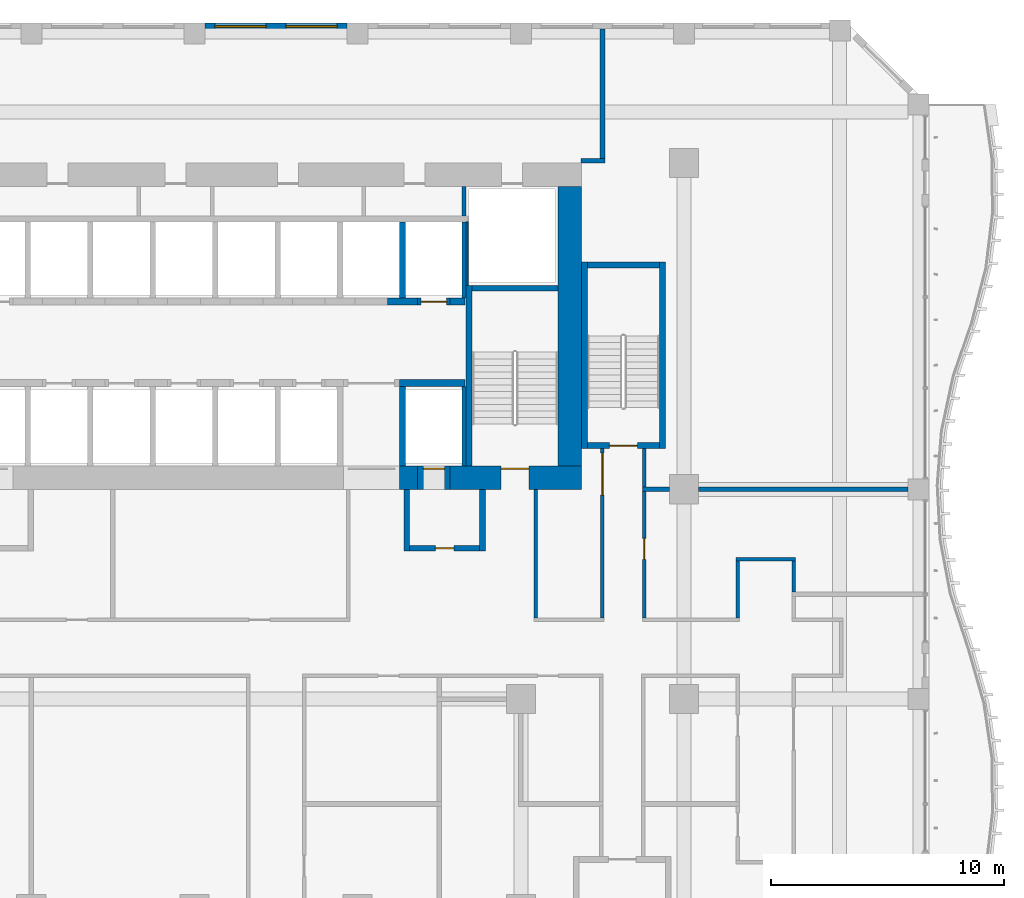
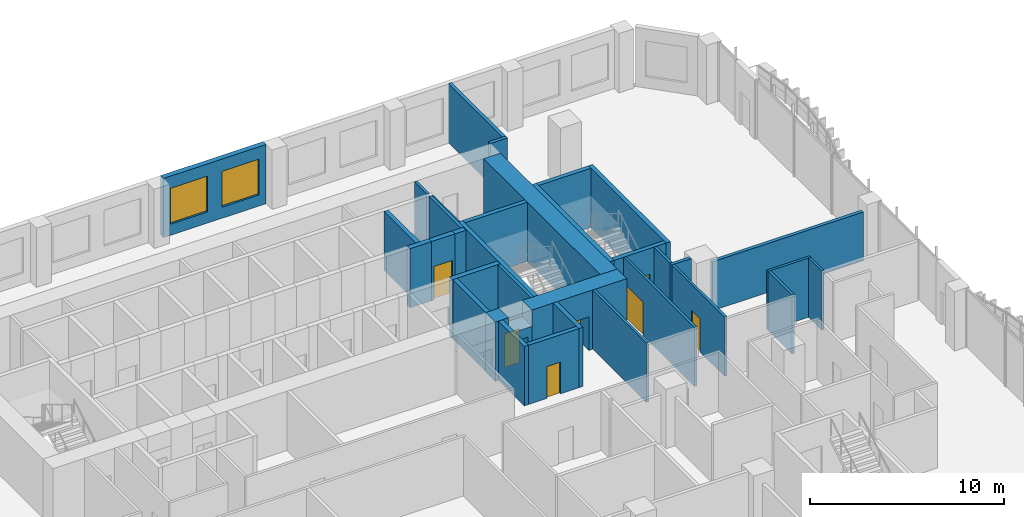
# One storey, part 17 of 28: 35 walls, 7 doors, 2 windows, 9 openings.
"""IFC4 building model written with IfcOpenShell, lengths in metres."""

from ifc_helpers import new_model, si_unit, direction, frame, frame_2d, origin, place, context, subcontext, project, spatial, rectangle, extrude, source, transform, mapped, material, layer, layer_set, type_object, element, fill, save


model = new_model("IFC4")

# Units and contexts
model_context = context("Model", 3, precision=1e-05, world=origin(), true_north=direction((0.0, 1.0)))
body_context = subcontext(model_context, "Body", "Model", "MODEL_VIEW")
ifc_project = project(units=[si_unit("LENGTHUNIT", "METRE"), si_unit("AREAUNIT", "SQUARE_METRE"), si_unit("VOLUMEUNIT", "CUBIC_METRE"), si_unit("PLANEANGLEUNIT", "RADIAN"), si_unit("MASSUNIT", "GRAM", prefix="KILO")], contexts=[model_context])

# Site, building, storey
site_placement = place(None, origin())
site = spatial("IfcSite", under=ifc_project, at=site_placement, CompositionType="ELEMENT")
building_placement = place(site_placement, origin())
building = spatial("IfcBuilding", under=site, at=building_placement, Name="Kilnfold Tower and Market Hall", CompositionType="ELEMENT")
storey_placement = place(building_placement, frame((0.0, 0.0, 87.199951171875)))
storey = spatial("IfcBuildingStorey", under=building, at=storey_placement, Name="L20", CompositionType="ELEMENT", Elevation=87.199951171875)

# Wall
ifc_material_1 = material(Name="Gypsum board on steel studs", Category="steel")
ifc_layer_1 = layer(ifc_material_1, 0.14990234375)
ifc_layer_set_1 = layer_set([ifc_layer_1], Name="Gypsum board on steel studs")
wall_type_1 = type_object("IfcWallType", Name="WALL CORRIDOR 150", PredefinedType="PARTITIONING", material=ifc_layer_set_1)
wall_1_placement = place(storey_placement, frame((16.14990234375, 2.47509765625, 0.0), z_axis=(0.0, 0.0, 1.0), x_axis=(0.0, 1.0, 0.0)))
element("IfcWall", 1, at=wall_1_placement, inside=storey, type_object=wall_type_1, Name="Partition LY14.28", PredefinedType="PARTITIONING", context=body_context, shape_type="SweptSolid", body=[
    extrude(rectangle(XDim=5.52490234375, YDim=0.14990234375, at=frame_2d((2.762451171875, 0.0))), origin(), (0.0, 0.0, 1.0), 3.719970703125),
])

# Wall, opening, door
wall_2_placement = place(storey_placement, frame((19.0, 9.75, 0.0), z_axis=(0.0, 0.0, 1.0), x_axis=(0.0, -1.0, 0.0)))
wall_2 = element("IfcWall", 2, at=wall_2_placement, inside=storey, type_object=wall_type_1, Name="Partition LY14.30", PredefinedType="PARTITIONING", context=body_context, shape_type="SweptSolid", body=[
    extrude(rectangle(XDim=7.27490234375, YDim=0.14990234375, at=frame_2d((3.637451171875, 0.0))), origin(), (0.0, 0.0, 1.0), 3.719970703125),
])
opening_1_placement = place(wall_2_placement, frame((0.199951171875, 0.0, 0.0)))
opening_1 = element("IfcOpeningElement", 3, at=opening_1_placement, cuts=wall_2, Name="Opening D5", PredefinedType="OPENING", context=body_context, shape_type="SweptSolid", body=[
    extrude(rectangle(XDim=1.800048828125, YDim=2.10009765625, at=frame_2d((0.89990234375, 1.050048828125))), frame((0.0, 0.0849609375, 0.0), z_axis=(0.0, -1.0, 0.0), x_axis=(1.0, 0.0, 0.0)), (0.0, 0.0, 1.0), 0.169921875),
])
ifc_material_2 = material(Name="Timber veneer door leaf in steel frame", Category="steel")
door_type_1 = type_object("IfcDoorType", Name="DOOR DOUBLE 1800 X2100", OperationType="NOTDEFINED", PredefinedType="DOOR", material=ifc_material_2)
door_1_placement = place(opening_1_placement, origin())
door_1 = element("IfcDoor", 4, at=door_1_placement, inside=storey, type_object=door_type_1, Name="Door D5", OperationType="DOUBLE_DOOR_SINGLE_SWING", OverallHeight=2.10009765625, OverallWidth=1.800048828125, PredefinedType="DOOR", context=body_context, shape_type="SweptSolid", body=[
    extrude(rectangle(XDim=1.800048828125, YDim=2.10009765625, at=frame_2d((0.89990234375, 1.050048828125))), frame((0.0, 0.02490234375, 0.0), z_axis=(0.0, -1.0, 0.0), x_axis=(1.0, 0.0, 0.0)), (0.0, 0.0, 1.0), 0.050048828125),
])
fill(opening_1, door_1)

# Wall
wall_3_placement = place(storey_placement, frame((20.800048828125, 8.090087890625, 0.0), z_axis=(0.0, 0.0, 1.0), x_axis=(0.0, 1.0, 0.0)))
element("IfcWall", 5, at=wall_3_placement, inside=storey, type_object=wall_type_1, Name="Partition LY14.31", PredefinedType="PARTITIONING", context=body_context, shape_type="SweptSolid", body=[
    extrude(rectangle(XDim=1.659912109375, YDim=0.14990234375, at=frame_2d((0.830078125, 0.0))), origin(), (0.0, 0.0, 1.0), 3.719970703125),
])

# Wall, opening, door
wall_4_placement = place(storey_placement, frame((20.800048828125, 2.47509765625, 0.0), z_axis=(0.0, 0.0, 1.0), x_axis=(0.0, 1.0, 0.0)))
wall_4 = element("IfcWall", 6, at=wall_4_placement, inside=storey, type_object=wall_type_1, Name="Partition LY14.35", PredefinedType="PARTITIONING", context=body_context, shape_type="SweptSolid", body=[
    extrude(rectangle(XDim=5.434814453125, YDim=0.14990234375, at=frame_2d((2.71728515625, 0.0))), origin(), (0.0, 0.0, 1.0), 3.719970703125),
])
opening_2_placement = place(wall_4_placement, frame((2.52001953125, 0.0, 0.0)))
opening_2 = element("IfcOpeningElement", 7, at=opening_2_placement, cuts=wall_4, Name="Opening D2", PredefinedType="OPENING", context=body_context, shape_type="SweptSolid", body=[
    extrude(rectangle(XDim=0.89990234375, YDim=2.10009765625, at=frame_2d((0.449951171875, 1.050048828125))), frame((0.0, 0.0849609375, 0.0), z_axis=(0.0, -1.0, 0.0), x_axis=(1.0, 0.0, 0.0)), (0.0, 0.0, 1.0), 0.169921875),
])
ifc_material_3 = material(Name="Timber veneer door leaf in steel frame", Category="steel")
door_type_2 = type_object("IfcDoorType", Name="DOOR ROOM 900 X2100", OperationType="NOTDEFINED", PredefinedType="DOOR", material=ifc_material_3)
door_2_placement = place(opening_2_placement, origin())
door_2 = element("IfcDoor", 8, at=door_2_placement, inside=storey, type_object=door_type_2, Name="Door D2", OperationType="SINGLE_SWING_RIGHT", OverallHeight=2.10009765625, OverallWidth=0.89990234375, PredefinedType="DOOR", context=body_context, shape_type="SweptSolid", body=[
    extrude(rectangle(XDim=0.89990234375, YDim=2.10009765625, at=frame_2d((0.449951171875, 1.050048828125))), frame((0.0, 0.02490234375, 0.0), z_axis=(0.0, -1.0, 0.0), x_axis=(1.0, 0.0, 0.0)), (0.0, 0.0, 1.0), 0.050048828125),
])
fill(opening_2, door_2)

# Walls
wall_5_placement = place(storey_placement, frame((24.800048828125, 2.47509765625, 0.0), z_axis=(0.0, 0.0, 1.0), x_axis=(0.0, 1.0, 0.0)))
element("IfcWall", 9, at=wall_5_placement, inside=storey, type_object=wall_type_1, Name="Partition LY14.37", PredefinedType="PARTITIONING", context=body_context, shape_type="SweptSolid", body=[
    extrude(rectangle(XDim=2.449951171875, YDim=0.14990234375, at=frame_2d((1.22509765625, 0.0))), origin(), (0.0, 0.0, 1.0), 3.719970703125),
])
wall_6_placement = place(storey_placement, frame((27.27490234375, 5.0, 0.0), z_axis=(0.0, 0.0, 1.0), x_axis=(-1.0, 0.0, 0.0)))
element("IfcWall", 10, at=wall_6_placement, inside=storey, type_object=wall_type_1, Name="Partition LY14.38", PredefinedType="PARTITIONING", context=body_context, shape_type="SweptSolid", body=[
    extrude(rectangle(XDim=2.5498046875, YDim=0.14990234375, at=frame_2d((1.27490234375, 0.0))), origin(), (0.0, 0.0, 1.0), 3.719970703125),
])
wall_7_placement = place(storey_placement, frame((27.199951171875, 3.590087890625, 0.0), z_axis=(0.0, 0.0, 1.0), x_axis=(0.0, 1.0, 0.0)))
element("IfcWall", 11, at=wall_7_placement, inside=storey, type_object=wall_type_1, Name="Partition LY14.39", PredefinedType="PARTITIONING", context=body_context, shape_type="SweptSolid", body=[
    extrude(rectangle(XDim=1.3349609375, YDim=0.14990234375, at=frame_2d((0.66748046875, 0.0))), origin(), (0.0, 0.0, 1.0), 3.719970703125),
])
ifc_material_4 = material(Name="Gypsum board on steel studs", Category="steel")
ifc_layer_2 = layer(ifc_material_4, 0.199951171875)
ifc_layer_set_2 = layer_set([ifc_layer_2], Name="Gypsum board on steel studs")
wall_type_2 = type_object("IfcWallType", Name="WALL PARTY 200", PredefinedType="PARTITIONING", material=ifc_layer_set_2)
wall_8_placement = place(storey_placement, frame((19.0, 22.199951171875, 0.0), z_axis=(0.0, 0.0, 1.0), x_axis=(0.0, 1.0, 0.0)))
element("IfcWall", 12, at=wall_8_placement, inside=storey, type_object=wall_type_2, Name="Partition LY14.54", PredefinedType="PARTITIONING", context=body_context, shape_type="SweptSolid", body=[
    extrude(rectangle(XDim=5.550048828125, YDim=0.199951171875, at=frame_2d((2.77490234375, 0.0))), origin(), (0.0, 0.0, 1.0), 3.719970703125),
])
wall_9_placement = place(storey_placement, frame((18.090087890625, 22.10009765625, 0.0), z_axis=(0.0, 0.0, 1.0), x_axis=(1.0, 0.0, 0.0)))
element("IfcWall", 13, at=wall_9_placement, inside=storey, type_object=wall_type_2, Name="Partition LY14.55", PredefinedType="PARTITIONING", context=body_context, shape_type="SweptSolid", body=[
    extrude(rectangle(XDim=1.010009765625, YDim=0.199951171875, at=frame_2d((0.5048828125, 0.0))), origin(), (0.0, 0.0, 1.0), 3.719970703125),
])
wall_10_placement = place(storey_placement, frame((23.125, 8.0, 0.0), z_axis=(0.0, 0.0, 1.0), x_axis=(1.0, 0.0, 0.0)))
element("IfcWall", 14, at=wall_10_placement, inside=storey, type_object=wall_type_2, Name="Partition LY14.74", PredefinedType="PARTITIONING", context=body_context, shape_type="SweptSolid", body=[
    extrude(rectangle(XDim=8.97509765625, YDim=0.199951171875, at=frame_2d((4.487548828125, 0.0))), origin(), (0.0, 0.0, 1.0), 3.070068359375),
])
wall_11_placement = place(storey_placement, frame((20.72607421875, 8.0, 0.0), z_axis=(0.0, 0.0, 1.0), x_axis=(1.0, 0.0, 0.0)))
element("IfcWall", 15, at=wall_11_placement, inside=storey, type_object=wall_type_2, Name="Partition LY14.75", PredefinedType="PARTITIONING", context=body_context, shape_type="SweptSolid", body=[
    extrude(rectangle(XDim=1.14892578125, YDim=0.199951171875, at=frame_2d((0.574462890625, 0.0))), origin(), (0.0, 0.0, 1.0), 3.719970703125),
])
ifc_material_5 = material(Name="Concrete C80", Category="concrete")
ifc_layer_3 = layer(ifc_material_5, 1.0)
ifc_layer_set_3 = layer_set([ifc_layer_3], Name="Concrete C80")
wall_type_3 = type_object("IfcWallType", Name="CORE WALL 1000 C80", PredefinedType="SHEAR", material=ifc_layer_set_3)
shared_shape_1 = source(origin(), body_context, "Body", "SweptSolid", [
    extrude(rectangle(XDim=0.780029296875, YDim=1.0, at=frame_2d((0.39013671875, 0.0))), origin(), (0.0, 0.0, 1.0), 3.719970703125),
])
wall_12_placement = place(storey_placement, frame((10.2900390625, 8.5, 0.0), z_axis=(0.0, 0.0, 1.0), x_axis=(1.0, 0.0, 0.0)))
element("IfcWall", 16, at=wall_12_placement, inside=storey, type_object=wall_type_3, Name="Core outer wall south", PredefinedType="SHEAR", context=body_context, shape_type="MappedRepresentation", body=[
    mapped(shared_shape_1, transform((0.0, 0.0, 0.0))),
])

# Wall, opening, door
shared_shape_2 = source(origin(), body_context, "Body", "SweptSolid", [
    extrude(rectangle(XDim=5.630126953125, YDim=1.0, at=frame_2d((2.81494140625, 0.0))), origin(), (0.0, 0.0, 1.0), 3.719970703125),
])
wall_13_placement = place(storey_placement, frame((12.469970703125, 8.5, 0.0), z_axis=(0.0, 0.0, 1.0), x_axis=(1.0, 0.0, 0.0)))
wall_13 = element("IfcWall", 17, at=wall_13_placement, inside=storey, type_object=wall_type_3, Name="Core outer wall south", PredefinedType="SHEAR", context=body_context, shape_type="MappedRepresentation", body=[
    mapped(shared_shape_2, transform((0.0, 0.0, 0.0))),
])
opening_3_placement = place(wall_13_placement, frame((2.179931640625, 0.0, 0.0)))
opening_3 = element("IfcOpeningElement", 18, at=opening_3_placement, cuts=wall_13, Name="Opening SD1", PredefinedType="OPENING", context=body_context, shape_type="SweptSolid", body=[
    extrude(rectangle(XDim=1.199951171875, YDim=2.10009765625, at=frame_2d((0.60009765625, 1.050048828125))), frame((0.0, 0.510009765625, 0.0), z_axis=(0.0, -1.0, 0.0), x_axis=(1.0, 0.0, 0.0)), (0.0, 0.0, 1.0), 1.02001953125),
])
ifc_material_6 = material(Name="Steel door set with fire-resisting leaf", Category="steel")
door_type_3 = type_object("IfcDoorType", Name="STAIR FLOOR DOOR 1200X2100", OperationType="NOTDEFINED", PredefinedType="DOOR", material=ifc_material_6)
door_3_placement = place(opening_3_placement, origin())
door_3 = element("IfcDoor", 19, at=door_3_placement, inside=storey, type_object=door_type_3, Name="Exit stair ST2 door", OperationType="DOUBLE_DOOR_SINGLE_SWING", OverallHeight=2.10009765625, OverallWidth=1.199951171875, PredefinedType="DOOR", context=body_context, shape_type="SweptSolid", body=[
    extrude(rectangle(XDim=1.199951171875, YDim=2.10009765625, at=frame_2d((0.60009765625, 1.050048828125))), frame((0.0, 0.40478515625, 0.0), z_axis=(0.0, -1.0, 0.0), x_axis=(1.0, 0.0, 0.0)), (0.0, 0.0, 1.0), 0.050048828125),
])
fill(opening_3, door_3)

# Walls
shared_shape_3 = source(origin(), body_context, "Body", "SweptSolid", [
    extrude(rectangle(XDim=12.0, YDim=1.0, at=frame_2d((6.0, 0.0))), origin(), (0.0, 0.0, 1.0), 3.719970703125),
])
wall_14_placement = place(storey_placement, frame((17.60009765625, 9.0, 0.0), z_axis=(0.0, 0.0, 1.0), x_axis=(0.0, 1.0, 0.0)))
element("IfcWall", 20, at=wall_14_placement, inside=storey, type_object=wall_type_3, Name="Core outer wall east", PredefinedType="SHEAR", context=body_context, shape_type="MappedRepresentation", body=[
    mapped(shared_shape_3, transform((0.0, 0.0, 0.0))),
])
ifc_material_7 = material(Name="Concrete C80", Category="concrete")
ifc_layer_4 = layer(ifc_material_7, 0.25)
ifc_layer_set_4 = layer_set([ifc_layer_4], Name="Concrete C80")
wall_type_4 = type_object("IfcWallType", Name="CORE WALL 250 C80", PredefinedType="SHEAR", material=ifc_layer_set_4)
shared_shape_4 = source(origin(), body_context, "Body", "SweptSolid", [
    extrude(rectangle(XDim=7.75, YDim=0.25, at=frame_2d((3.875, 0.0))), origin(), (0.0, 0.0, 1.0), 3.719970703125),
])
wall_15_placement = place(storey_placement, frame((13.27490234375, 9.0, 0.0), z_axis=(0.0, 0.0, 1.0), x_axis=(0.0, 1.0, 0.0)))
element("IfcWall", 21, at=wall_15_placement, inside=storey, type_object=wall_type_4, Name="Stair enclosure ST2", PredefinedType="SHEAR", context=body_context, shape_type="MappedRepresentation", body=[
    mapped(shared_shape_4, transform((0.0, 0.0, 0.0))),
])
shared_shape_5 = source(origin(), body_context, "Body", "SweptSolid", [
    extrude(rectangle(XDim=3.7001953125, YDim=0.25, at=frame_2d((1.85009765625, 0.0))), origin(), (0.0, 0.0, 1.0), 3.719970703125),
])
wall_16_placement = place(storey_placement, frame((13.39990234375, 16.625, 0.0), z_axis=(0.0, 0.0, 1.0), x_axis=(1.0, 0.0, 0.0)))
element("IfcWall", 22, at=wall_16_placement, inside=storey, type_object=wall_type_4, Name="Stair enclosure ST2", PredefinedType="SHEAR", context=body_context, shape_type="MappedRepresentation", body=[
    mapped(shared_shape_5, transform((0.0, 0.0, 0.0))),
])
shared_shape_6 = source(origin(), body_context, "Body", "SweptSolid", [
    extrude(rectangle(XDim=8.0, YDim=0.25, at=frame_2d((4.0, 0.0))), origin(), (0.0, 0.0, 1.0), 3.719970703125),
])
for number, where, z_axis, x_axis, name in (
    (23, (18.22509765625, 9.75, 0.0), (0.0, 0.0, 1.0), (0.0, 1.0, 0.0), "Stair enclosure ST5"),
    (24, (21.574951171875, 9.75, 0.0), (0.0, 0.0, 1.0), (0.0, 1.0, 0.0), "Stair enclosure ST5"),
):
    element("IfcWall", number, at=place(storey_placement, frame(where, z_axis=z_axis, x_axis=x_axis)), inside=storey, type_object=wall_type_4, Name=name, PredefinedType="SHEAR", context=body_context, shape_type="MappedRepresentation", body=[
        mapped(shared_shape_6, transform((0.0, 0.0, 0.0))),
    ])

# Wall, opening, door
shared_shape_7 = source(origin(), body_context, "Body", "SweptSolid", [
    extrude(rectangle(XDim=3.099853515625, YDim=0.25, at=frame_2d((1.5498046875, 0.0))), origin(), (0.0, 0.0, 1.0), 3.719970703125),
])
wall_17_placement = place(storey_placement, frame((18.35009765625, 9.875, 0.0), z_axis=(0.0, 0.0, 1.0), x_axis=(1.0, 0.0, 0.0)))
wall_17 = element("IfcWall", 25, at=wall_17_placement, inside=storey, type_object=wall_type_4, Name="Stair enclosure ST5", PredefinedType="SHEAR", context=body_context, shape_type="MappedRepresentation", body=[
    mapped(shared_shape_7, transform((0.0, 0.0, 0.0))),
])
opening_4_placement = place(wall_17_placement, frame((0.949951171875, 0.0, 0.0)))
opening_4 = element("IfcOpeningElement", 26, at=opening_4_placement, cuts=wall_17, Name="Opening SD1", PredefinedType="OPENING", context=body_context, shape_type="SweptSolid", body=[
    extrude(rectangle(XDim=1.199951171875, YDim=2.10009765625, at=frame_2d((0.60009765625, 1.050048828125))), frame((0.0, 0.135009765625, 0.0), z_axis=(0.0, -1.0, 0.0), x_axis=(1.0, 0.0, 0.0)), (0.0, 0.0, 1.0), 0.27001953125),
])
door_4_placement = place(opening_4_placement, origin())
door_4 = element("IfcDoor", 27, at=door_4_placement, inside=storey, type_object=door_type_3, Name="Exit stair ST5 door", OperationType="DOUBLE_DOOR_SINGLE_SWING", OverallHeight=2.10009765625, OverallWidth=1.199951171875, PredefinedType="DOOR", context=body_context, shape_type="SweptSolid", body=[
    extrude(rectangle(XDim=1.199951171875, YDim=2.10009765625, at=frame_2d((0.60009765625, 1.050048828125))), frame((0.0, 0.02490234375, 0.0), z_axis=(0.0, -1.0, 0.0), x_axis=(1.0, 0.0, 0.0)), (0.0, 0.0, 1.0), 0.050048828125),
])
fill(opening_4, door_4)

# Walls
wall_18_placement = place(storey_placement, frame((18.35009765625, 17.625, 0.0), z_axis=(0.0, 0.0, 1.0), x_axis=(1.0, 0.0, 0.0)))
element("IfcWall", 28, at=wall_18_placement, inside=storey, type_object=wall_type_4, Name="Stair enclosure ST5", PredefinedType="SHEAR", context=body_context, shape_type="MappedRepresentation", body=[
    mapped(shared_shape_7, transform((0.0, 0.0, 0.0))),
])
ifc_material_8 = material(Name="Concrete C80", Category="concrete")
ifc_layer_5 = layer(ifc_material_8, 0.300048828125)
ifc_layer_set_5 = layer_set([ifc_layer_5], Name="Concrete C80")
wall_type_5 = type_object("IfcWallType", Name="CORE WALL 300 C80", PredefinedType="SHEAR", material=ifc_layer_set_5)
shared_shape_8 = source(origin(), body_context, "Body", "SweptSolid", [
    extrude(rectangle(XDim=1.280029296875, YDim=0.300048828125, at=frame_2d((0.64013671875, 0.0))), origin(), (0.0, 0.0, 1.0), 3.719970703125),
])
wall_19_placement = place(storey_placement, frame((9.7900390625, 16.050048828125, 0.0), z_axis=(0.0, 0.0, 1.0), x_axis=(1.0, 0.0, 0.0)))
element("IfcWall", 29, at=wall_19_placement, inside=storey, type_object=wall_type_5, Name="Core spine wall", PredefinedType="SHEAR", context=body_context, shape_type="MappedRepresentation", body=[
    mapped(shared_shape_8, transform((0.0, 0.0, 0.0))),
])
shared_shape_9 = source(origin(), body_context, "Body", "SweptSolid", [
    extrude(rectangle(XDim=2.820068359375, YDim=0.300048828125, at=frame_2d((1.41015625, 0.0))), origin(), (0.0, 0.0, 1.0), 3.719970703125),
])
wall_20_placement = place(storey_placement, frame((10.2900390625, 12.550048828125, 0.0), z_axis=(0.0, 0.0, 1.0), x_axis=(1.0, 0.0, 0.0)))
element("IfcWall", 30, at=wall_20_placement, inside=storey, type_object=wall_type_5, Name="Core spine wall", PredefinedType="SHEAR", context=body_context, shape_type="MappedRepresentation", body=[
    mapped(shared_shape_9, transform((0.0, 0.0, 0.0))),
])
shared_shape_10 = source(origin(), body_context, "Body", "SweptSolid", [
    extrude(rectangle(XDim=0.64013671875, YDim=0.300048828125, at=frame_2d((0.320068359375, 0.0))), origin(), (0.0, 0.0, 1.0), 3.719970703125),
])
wall_21_placement = place(storey_placement, frame((12.469970703125, 16.050048828125, 0.0), z_axis=(0.0, 0.0, 1.0), x_axis=(1.0, 0.0, 0.0)))
element("IfcWall", 31, at=wall_21_placement, inside=storey, type_object=wall_type_5, Name="Core spine wall", PredefinedType="SHEAR", context=body_context, shape_type="MappedRepresentation", body=[
    mapped(shared_shape_10, transform((0.0, 0.0, 0.0))),
])

# Wall, openings, windows
ifc_material_9 = material(Name="Precast concrete C50/60", Category="concrete")
ifc_layer_6 = layer(ifc_material_9, 0.300048828125)
ifc_layer_set_6 = layer_set([ifc_layer_6], Name="Precast concrete C50/60")
wall_type_6 = type_object("IfcWallType", Name="PRECAST WALL 300", PredefinedType="SOLIDWALL", material=ifc_layer_set_6)
shared_shape_11 = source(origin(), body_context, "Body", "SweptSolid", [
    extrude(rectangle(XDim=6.10009765625, YDim=0.300048828125, at=frame_2d((3.050048828125, 0.0))), origin(), (0.0, 0.0, 1.0), 3.719970703125),
])
wall_22_placement = place(storey_placement, frame((8.050048828125, 27.85009765625, 0.0), z_axis=(0.0, 0.0, 1.0), x_axis=(-1.0, 0.0, 0.0)))
wall_22 = element("IfcWall", 32, at=wall_22_placement, inside=storey, type_object=wall_type_6, Name="External wall L20 N", PredefinedType="SOLIDWALL", context=body_context, shape_type="MappedRepresentation", body=[
    mapped(shared_shape_11, transform((0.0, 0.0, 0.0))),
])
opening_5_placement = place(wall_22_placement, frame((0.425048828125, 0.0, 0.699951171875)))
opening_5 = element("IfcOpeningElement", 33, at=opening_5_placement, cuts=wall_22, Name="Opening W1", PredefinedType="OPENING", context=body_context, shape_type="SweptSolid", body=[
    extrude(rectangle(XDim=2.199951171875, YDim=2.25, at=frame_2d((1.10009765625, 1.125))), frame((0.0, 0.16015625, 0.0), z_axis=(0.0, -1.0, 0.0), x_axis=(1.0, 0.0, 0.0)), (0.0, 0.0, 1.0), 0.320068359375),
])
opening_6_placement = place(wall_22_placement, frame((3.47509765625, 0.0, 0.699951171875)))
opening_6 = element("IfcOpeningElement", 34, at=opening_6_placement, cuts=wall_22, Name="Opening W1", PredefinedType="OPENING", context=body_context, shape_type="SweptSolid", body=[
    extrude(rectangle(XDim=2.199951171875, YDim=2.25, at=frame_2d((1.10009765625, 1.125))), frame((0.0, 0.16015625, 0.0), z_axis=(0.0, -1.0, 0.0), x_axis=(1.0, 0.0, 0.0)), (0.0, 0.0, 1.0), 0.320068359375),
])
ifc_material_10 = material(Name="Aluminium frame and double glazing", Category="aluminium")
window_type = type_object("IfcWindowType", Name="WINDOW W1 2200X2250", PartitioningType="SINGLE_PANEL", PredefinedType="WINDOW", material=ifc_material_10)
window_1_placement = place(opening_5_placement, origin())
window_1 = element("IfcWindow", 35, at=window_1_placement, inside=storey, type_object=window_type, Name="Window W1 L20 N-1", OverallHeight=2.25, OverallWidth=2.199951171875, PartitioningType="SINGLE_PANEL", PredefinedType="WINDOW", context=body_context, shape_type="SweptSolid", body=[
    extrude(rectangle(XDim=2.199951171875, YDim=2.25, at=frame_2d((1.10009765625, 1.125))), frame((0.0, 0.030029296875, 0.0), z_axis=(0.0, -1.0, 0.0), x_axis=(1.0, 0.0, 0.0)), (0.0, 0.0, 1.0), 0.06005859375),
])
fill(opening_5, window_1)
window_2_placement = place(opening_6_placement, origin())
window_2 = element("IfcWindow", 36, at=window_2_placement, inside=storey, type_object=window_type, Name="Window W1 L20 N-2", OverallHeight=2.25, OverallWidth=2.199951171875, PartitioningType="SINGLE_PANEL", PredefinedType="WINDOW", context=body_context, shape_type="SweptSolid", body=[
    extrude(rectangle(XDim=2.199951171875, YDim=2.25, at=frame_2d((1.10009765625, 1.125))), frame((0.0, 0.030029296875, 0.0), z_axis=(0.0, -1.0, 0.0), x_axis=(1.0, 0.0, 0.0)), (0.0, 0.0, 1.0), 0.06005859375),
])
fill(opening_6, window_2)

# Wall, opening, door
ifc_material_11 = material(Name="Gypsum shaft wall system")
ifc_layer_7 = layer(ifc_material_11, 1.0)
ifc_layer_set_7 = layer_set([ifc_layer_7], Name="Gypsum shaft wall system")
wall_type_7 = type_object("IfcWallType", Name="LOBBY WALL 1000", PredefinedType="PARTITIONING", material=ifc_layer_set_7)
shared_shape_12 = source(origin(), body_context, "Body", "SweptSolid", [
    extrude(rectangle(XDim=1.39990234375, YDim=1.0, at=frame_2d((0.699951171875, 0.0))), origin(), (0.0, 0.0, 1.0), 2.699951171875),
])
wall_23_placement = place(storey_placement, frame((11.070068359375, 8.5, 0.0), z_axis=(0.0, 0.0, 1.0), x_axis=(1.0, 0.0, 0.0)))
wall_23 = element("IfcWall", 37, at=wall_23_placement, inside=storey, type_object=wall_type_7, Name="Core wall infill", PredefinedType="PARTITIONING", context=body_context, shape_type="MappedRepresentation", body=[
    mapped(shared_shape_12, transform((0.0, 0.0, 0.0))),
])
opening_7_placement = place(wall_23_placement, frame((0.25, 0.0, 0.0)))
opening_7 = element("IfcOpeningElement", 38, at=opening_7_placement, cuts=wall_23, Name="Opening LD1", PredefinedType="OPENING", context=body_context, shape_type="SweptSolid", body=[
    extrude(rectangle(XDim=0.89990234375, YDim=2.10009765625, at=frame_2d((0.449951171875, 1.050048828125))), frame((0.0, 0.510009765625, 0.0), z_axis=(0.0, -1.0, 0.0), x_axis=(1.0, 0.0, 0.0)), (0.0, 0.0, 1.0), 1.02001953125),
])
ifc_material_12 = material(Name="Steel door set with fire-resisting leaf", Category="steel")
door_type_4 = type_object("IfcDoorType", Name="FIREFIGHTING LANDING DOOR 900X2100", OperationType="NOTDEFINED", PredefinedType="DOOR", material=ifc_material_12)
door_5_placement = place(opening_7_placement, origin())
door_5 = element("IfcDoor", 39, at=door_5_placement, inside=storey, type_object=door_type_4, Name="Landing door FF3", OperationType="SLIDING_TO_LEFT", OverallHeight=2.10009765625, OverallWidth=0.89990234375, PredefinedType="DOOR", context=body_context, shape_type="SweptSolid", body=[
    extrude(rectangle(XDim=0.89990234375, YDim=2.10009765625, at=frame_2d((0.449951171875, 1.050048828125))), frame((0.0, 0.40478515625, 0.0), z_axis=(0.0, -1.0, 0.0), x_axis=(1.0, 0.0, 0.0)), (0.0, 0.0, 1.0), 0.050048828125),
])
fill(opening_7, door_5)

ifc_material_13 = material(Name="Gypsum shaft wall system")
ifc_layer_8 = layer(ifc_material_13, 0.300048828125)
ifc_layer_set_8 = layer_set([ifc_layer_8], Name="Gypsum shaft wall system")
wall_type_8 = type_object("IfcWallType", Name="SHAFT WALL 300", PredefinedType="PARTITIONING", material=ifc_layer_set_8)
shared_shape_13 = source(origin(), body_context, "Body", "SweptSolid", [
    extrude(rectangle(XDim=1.39990234375, YDim=0.300048828125, at=frame_2d((0.699951171875, 0.0))), origin(), (0.0, 0.0, 1.0), 3.719970703125),
])
wall_24_placement = place(storey_placement, frame((11.070068359375, 16.050048828125, 0.0), z_axis=(0.0, 0.0, 1.0), x_axis=(1.0, 0.0, 0.0)))
wall_24 = element("IfcWall", 40, at=wall_24_placement, inside=storey, type_object=wall_type_8, Name="Lift shaft front wall", PredefinedType="PARTITIONING", context=body_context, shape_type="MappedRepresentation", body=[
    mapped(shared_shape_13, transform((0.0, 0.0, 0.0))),
])
opening_8_placement = place(wall_24_placement, frame((0.14990234375, 0.0, 0.0)))
opening_8 = element("IfcOpeningElement", 41, at=opening_8_placement, cuts=wall_24, Name="Opening LD2", PredefinedType="OPENING", context=body_context, shape_type="SweptSolid", body=[
    extrude(rectangle(XDim=1.10009765625, YDim=2.10009765625, at=frame_2d((0.550048828125, 1.050048828125))), frame((0.0, 0.16015625, 0.0), z_axis=(0.0, -1.0, 0.0), x_axis=(1.0, 0.0, 0.0)), (0.0, 0.0, 1.0), 0.320068359375),
])
ifc_material_14 = material(Name="Steel door set with fire-resisting leaf", Category="steel")
door_type_5 = type_object("IfcDoorType", Name="LANDING DOOR 1100X2100", OperationType="NOTDEFINED", PredefinedType="DOOR", material=ifc_material_14)
door_6_placement = place(opening_8_placement, origin())
door_6 = element("IfcDoor", 42, at=door_6_placement, inside=storey, type_object=door_type_5, Name="Landing door LR6", OperationType="DOUBLE_DOOR_SLIDING", OverallHeight=2.10009765625, OverallWidth=1.10009765625, PredefinedType="DOOR", context=body_context, shape_type="SweptSolid", body=[
    extrude(rectangle(XDim=1.10009765625, YDim=2.10009765625, at=frame_2d((0.550048828125, 1.050048828125))), frame((0.0, 0.02490234375, 0.0), z_axis=(0.0, -1.0, 0.0), x_axis=(1.0, 0.0, 0.0)), (0.0, 0.0, 1.0), 0.050048828125),
])
fill(opening_8, door_6)

# Walls
ifc_material_15 = material(Name="Gypsum shaft wall system")
ifc_layer_9 = layer(ifc_material_15, 0.25)
ifc_layer_set_9 = layer_set([ifc_layer_9], Name="Gypsum shaft wall system")
wall_type_9 = type_object("IfcWallType", Name="LOBBY WALL 250", PredefinedType="PARTITIONING", material=ifc_layer_set_9)
shared_shape_14 = source(origin(), body_context, "Body", "SweptSolid", [
    extrude(rectangle(XDim=2.64990234375, YDim=0.25, at=frame_2d((1.324951171875, 0.0))), origin(), (0.0, 0.0, 1.0), 3.719970703125),
])
for number, where, z_axis, x_axis, name in (
    (43, (10.60498046875, 5.35009765625, 0.0), (0.0, 0.0, 1.0), (0.0, 1.0, 0.0), "Firefighting lobby wall"),
    (44, (13.85498046875, 5.35009765625, 0.0), (0.0, 0.0, 1.0), (0.0, 1.0, 0.0), "Firefighting lobby wall"),
):
    element("IfcWall", number, at=place(storey_placement, frame(where, z_axis=z_axis, x_axis=x_axis)), inside=storey, type_object=wall_type_9, Name=name, PredefinedType="PARTITIONING", context=body_context, shape_type="MappedRepresentation", body=[
        mapped(shared_shape_14, transform((0.0, 0.0, 0.0))),
    ])

# Wall, opening, door
shared_shape_15 = source(origin(), body_context, "Body", "SweptSolid", [
    extrude(rectangle(XDim=3.0, YDim=0.25, at=frame_2d((1.5, 0.0))), origin(), (0.0, 0.0, 1.0), 3.719970703125),
])
wall_25_placement = place(storey_placement, frame((10.72998046875, 5.47509765625, 0.0), z_axis=(0.0, 0.0, 1.0), x_axis=(1.0, 0.0, 0.0)))
wall_25 = element("IfcWall", 45, at=wall_25_placement, inside=storey, type_object=wall_type_9, Name="Firefighting lobby wall", PredefinedType="PARTITIONING", context=body_context, shape_type="MappedRepresentation", body=[
    mapped(shared_shape_15, transform((0.0, 0.0, 0.0))),
])
opening_9_placement = place(wall_25_placement, frame((1.10009765625, 0.0, 0.0)))
opening_9 = element("IfcOpeningElement", 46, at=opening_9_placement, cuts=wall_25, Name="Opening VD1", PredefinedType="OPENING", context=body_context, shape_type="SweptSolid", body=[
    extrude(rectangle(XDim=0.800048828125, YDim=2.0, at=frame_2d((0.39990234375, 1.0))), frame((0.0, 0.135009765625, 0.0), z_axis=(0.0, -1.0, 0.0), x_axis=(1.0, 0.0, 0.0)), (0.0, 0.0, 1.0), 0.27001953125),
])
ifc_material_16 = material(Name="Steel door set with fire-resisting leaf", Category="steel")
door_type_6 = type_object("IfcDoorType", Name="FIREFIGHTING LOBBY DOOR 800X2000", OperationType="NOTDEFINED", PredefinedType="DOOR", material=ifc_material_16)
door_7_placement = place(opening_9_placement, origin())
door_7 = element("IfcDoor", 47, at=door_7_placement, inside=storey, type_object=door_type_6, Name="Firefighting lobby door", OperationType="SINGLE_SWING_RIGHT", OverallHeight=2.0, OverallWidth=0.800048828125, PredefinedType="DOOR", context=body_context, shape_type="SweptSolid", body=[
    extrude(rectangle(XDim=0.800048828125, YDim=2.0, at=frame_2d((0.39990234375, 1.0))), frame((0.0, 0.02490234375, 0.0), z_axis=(0.0, -1.0, 0.0), x_axis=(1.0, 0.0, 0.0)), (0.0, 0.0, 1.0), 0.050048828125),
])
fill(opening_9, door_7)

# Walls
ifc_material_17 = material(Name="Gypsum shaft wall system")
ifc_layer_10 = layer(ifc_material_17, 0.1650390625)
ifc_layer_set_10 = layer_set([ifc_layer_10], Name="Gypsum shaft wall system")
wall_type_10 = type_object("IfcWallType", Name="SHAFT WALL 165", PredefinedType="PARTITIONING", material=ifc_layer_set_10)
shared_shape_16 = source(origin(), body_context, "Body", "SweptSolid", [
    extrude(rectangle(XDim=3.275146484375, YDim=0.1650390625, at=frame_2d((1.6376953125, 0.0))), origin(), (0.0, 0.0, 1.0), 3.719970703125),
])
wall_26_placement = place(storey_placement, frame((13.0673828125, 16.199951171875, 0.0), z_axis=(0.0, 0.0, 1.0), x_axis=(0.0, 1.0, 0.0)))
element("IfcWall", 48, at=wall_26_placement, inside=storey, type_object=wall_type_10, Name="Lift shaft wall", PredefinedType="PARTITIONING", context=body_context, shape_type="MappedRepresentation", body=[
    mapped(shared_shape_16, transform((0.0, 0.0, 0.0))),
])
shared_shape_17 = source(origin(), body_context, "Body", "SweptSolid", [
    extrude(rectangle(XDim=1.27490234375, YDim=0.1650390625, at=frame_2d((0.637451171875, 0.0))), origin(), (0.0, 0.0, 1.0), 3.719970703125),
])
wall_27_placement = place(storey_placement, frame((13.0673828125, 19.72509765625, 0.0), z_axis=(0.0, 0.0, 1.0), x_axis=(0.0, 1.0, 0.0)))
element("IfcWall", 49, at=wall_27_placement, inside=storey, type_object=wall_type_10, Name="Lift shaft wall", PredefinedType="PARTITIONING", context=body_context, shape_type="MappedRepresentation", body=[
    mapped(shared_shape_17, transform((0.0, 0.0, 0.0))),
])
ifc_material_18 = material(Name="Gypsum shaft wall system")
ifc_layer_11 = layer(ifc_material_18, 0.25)
ifc_layer_set_11 = layer_set([ifc_layer_11], Name="Gypsum shaft wall system")
wall_type_11 = type_object("IfcWallType", Name="SHAFT WALL 250", PredefinedType="PARTITIONING", material=ifc_layer_set_11)
shared_shape_18 = source(origin(), body_context, "Body", "SweptSolid", [
    extrude(rectangle(XDim=3.275146484375, YDim=0.25, at=frame_2d((1.6376953125, 0.0))), origin(), (0.0, 0.0, 1.0), 3.719970703125),
])
wall_28_placement = place(storey_placement, frame((10.429931640625, 16.199951171875, 0.0), z_axis=(0.0, 0.0, 1.0), x_axis=(0.0, 1.0, 0.0)))
element("IfcWall", 50, at=wall_28_placement, inside=storey, type_object=wall_type_11, Name="Lift shaft wall", PredefinedType="PARTITIONING", context=body_context, shape_type="MappedRepresentation", body=[
    mapped(shared_shape_18, transform((0.0, 0.0, 0.0))),
])
ifc_material_19 = material(Name="Gypsum shaft wall system")
ifc_layer_12 = layer(ifc_material_19, 0.0849609375)
ifc_layer_set_12 = layer_set([ifc_layer_12], Name="Gypsum shaft wall system")
wall_type_12 = type_object("IfcWallType", Name="SHAFT WALL 85", PredefinedType="PARTITIONING", material=ifc_layer_set_12)
shared_shape_19 = source(origin(), body_context, "Body", "SweptSolid", [
    extrude(rectangle(XDim=2.72509765625, YDim=0.0849609375, at=frame_2d((1.362548828125, 0.0))), origin(), (0.0, 0.0, 1.0), 3.719970703125),
])
wall_29_placement = place(storey_placement, frame((13.1923828125, 16.75, 0.0), z_axis=(0.0, 0.0, 1.0), x_axis=(0.0, 1.0, 0.0)))
element("IfcWall", 51, at=wall_29_placement, inside=storey, type_object=wall_type_12, Name="Lift shaft wall", PredefinedType="PARTITIONING", context=body_context, shape_type="MappedRepresentation", body=[
    mapped(shared_shape_19, transform((0.0, 0.0, 0.0))),
])
shared_shape_20 = source(origin(), body_context, "Body", "SweptSolid", [
    extrude(rectangle(XDim=3.39990234375, YDim=0.25, at=frame_2d((1.699951171875, 0.0))), origin(), (0.0, 0.0, 1.0), 3.719970703125),
])
wall_30_placement = place(storey_placement, frame((10.429931640625, 9.0, 0.0), z_axis=(0.0, 0.0, 1.0), x_axis=(0.0, 1.0, 0.0)))
element("IfcWall", 52, at=wall_30_placement, inside=storey, type_object=wall_type_11, Name="Lift shaft wall", PredefinedType="PARTITIONING", context=body_context, shape_type="MappedRepresentation", body=[
    mapped(shared_shape_20, transform((0.0, 0.0, 0.0))),
])
shared_shape_21 = source(origin(), body_context, "Body", "SweptSolid", [
    extrude(rectangle(XDim=3.39990234375, YDim=0.1650390625, at=frame_2d((1.699951171875, 0.0))), origin(), (0.0, 0.0, 1.0), 3.719970703125),
])
wall_31_placement = place(storey_placement, frame((13.0673828125, 9.0, 0.0), z_axis=(0.0, 0.0, 1.0), x_axis=(0.0, 1.0, 0.0)))
element("IfcWall", 53, at=wall_31_placement, inside=storey, type_object=wall_type_10, Name="Lift shaft wall", PredefinedType="PARTITIONING", context=body_context, shape_type="MappedRepresentation", body=[
    mapped(shared_shape_21, transform((0.0, 0.0, 0.0))),
])

save(model, "model.ifc")
